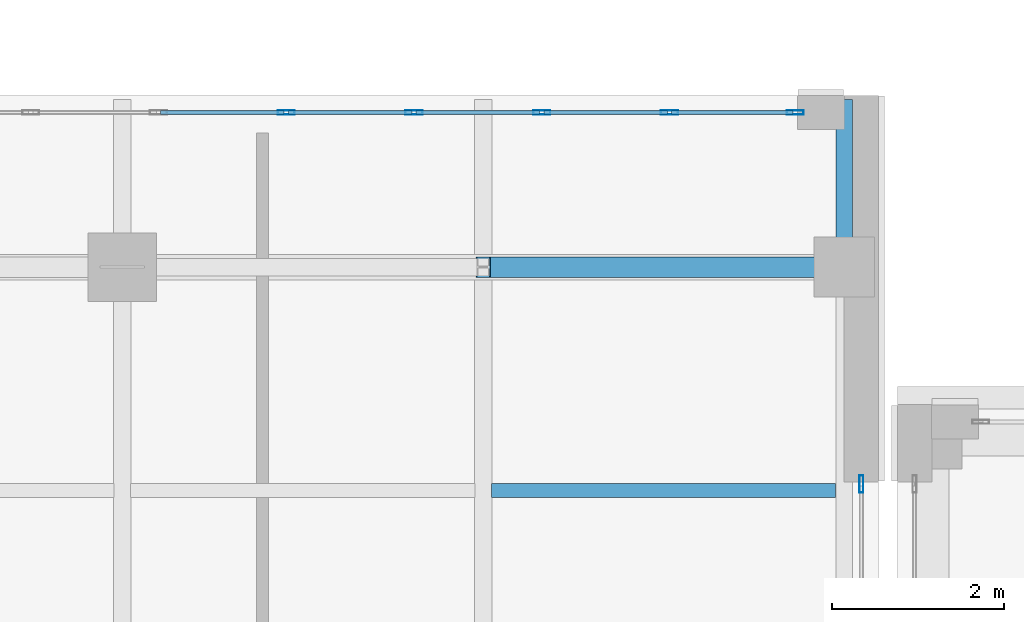
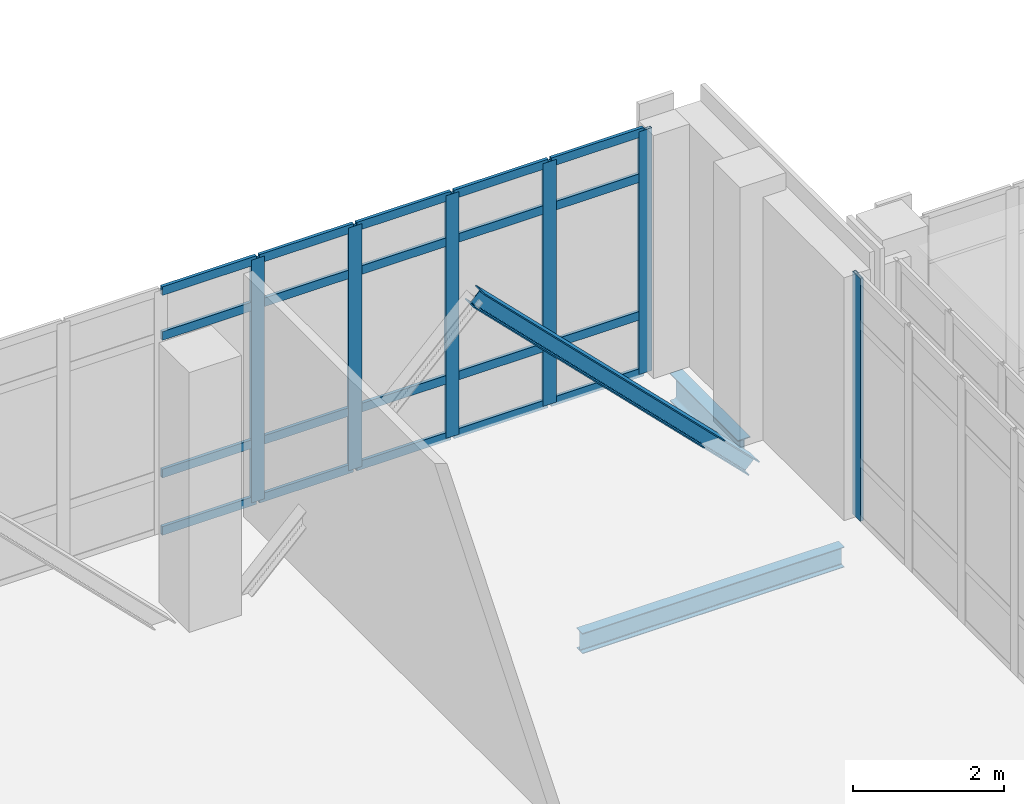
# One storey, part 15 of 158: 27 members, 2 beams, 2 elements without a shape of their own.
"""IFC4 building model written with IfcOpenShell, lengths in metres."""

from ifc_helpers import new_model, si_unit, direction, frame, origin, origin_2d, place, context, subcontext, project, spatial, hollow_rectangle, i_section, extrude, material, layer, layer_set, material_profile, profile_set, type_object, element, aggregate, save


model = new_model("IFC4")

# Units and contexts
model_context = context("Model", 3, precision=1e-05, world=origin(), true_north=direction((0.0, 1.0)))
body_context = subcontext(model_context, "Body", "Model", "MODEL_VIEW")
ifc_project = project(units=[si_unit("LENGTHUNIT", "METRE"), si_unit("AREAUNIT", "SQUARE_METRE"), si_unit("VOLUMEUNIT", "CUBIC_METRE"), si_unit("PLANEANGLEUNIT", "RADIAN"), si_unit("MASSUNIT", "GRAM", prefix="KILO")], contexts=[model_context])

# Site, building, storey
site_placement = place(None, origin())
site = spatial("IfcSite", under=ifc_project, at=site_placement, CompositionType="ELEMENT")
building_placement = place(site_placement, origin())
building = spatial("IfcBuilding", under=site, at=building_placement, Name="Qalavern Law Courts", CompositionType="ELEMENT")
storey_placement = place(building_placement, frame((0.0, 0.0, 18.60009765625)))
storey = spatial("IfcBuildingStorey", under=building, at=storey_placement, Name="L04", CompositionType="ELEMENT", Elevation=18.60009765625)

# Curtain wall, member
ifc_material_1 = material(Name="Anodised aluminium and insulated glazing", Category="aluminium")
ifc_layer = layer(ifc_material_1, 0.199951171875)
ifc_layer_set = layer_set([ifc_layer], Name="Anodised aluminium and insulated glazing")
curtain_wall_type = type_object("IfcCurtainWallType", Name="ENV-CW-FOYER", PredefinedType="USERDEFINED", material=ifc_layer_set)
curtain_wall_1_placement = place(storey_placement, origin())
curtain_wall_1 = element("IfcCurtainWall", 1, at=curtain_wall_1_placement, inside=storey, type_object=curtain_wall_type, Name="V1 unitised curtain wall L04 east 1", ObjectType="UNITISED CURTAIN WALL", PredefinedType="USERDEFINED")
ifc_material_2 = material(Name="Anodised aluminium", Category="aluminium")
ifc_material_profile_1 = material_profile(ifc_material_2, hollow_rectangle(XDim=0.048095703125, YDim=0.199951171875, WallThickness=0.00439453125, at=origin_2d()), Name="ALU MULLION 48x200")
ifc_profile_set_1 = profile_set([ifc_material_profile_1], Name="Anodised aluminium")
member_type_1 = type_object("IfcMemberType", Name="ENV-CWM-48x200", PredefinedType="MULLION", material=ifc_profile_set_1)
member_1_placement = place(storey_placement, frame((33.800048828125, 29.47607421875, 0.0), z_axis=(0.0, 0.0, 1.0), x_axis=(-1.0, 0.0, 0.0)))
member_1 = element("IfcMember", 2, at=member_1_placement, type_object=member_type_1, Name="CW-01 mullion 6", PredefinedType="MULLION", context=body_context, shape_type="SweptSolid", body=[
    extrude(hollow_rectangle(XDim=0.048095703125, YDim=0.199951171875, WallThickness=0.00439453125, at=origin_2d()), origin(), (0.0, 0.0, 1.0), 3.9248046875),
])
aggregate(curtain_wall_1, [member_1])

# Curtain wall, members
curtain_wall_2_placement = place(storey_placement, origin())
curtain_wall_2 = element("IfcCurtainWall", 3, at=curtain_wall_2_placement, inside=storey, type_object=curtain_wall_type, Name="V1 unitised curtain wall L04 north 1", ObjectType="UNITISED CURTAIN WALL", PredefinedType="USERDEFINED")
member_2_placement = place(storey_placement, frame((33.031005859375, 33.800048828125, 0.0), z_axis=(0.0, 0.0, 1.0), x_axis=(0.0, -1.0, 0.0)))
member_2 = element("IfcMember", 4, at=member_2_placement, type_object=member_type_1, Name="CW-01 mullion 1", PredefinedType="MULLION", context=body_context, shape_type="SweptSolid", body=[
    extrude(hollow_rectangle(XDim=0.048095703125, YDim=0.199951171875, WallThickness=0.00439453125, at=origin_2d()), origin(), (0.0, 0.0, 1.0), 3.9248046875),
])
member_3_placement = place(storey_placement, frame((31.568359375, 33.800048828125, 0.0), z_axis=(0.0, 0.0, 1.0), x_axis=(0.0, -1.0, 0.0)))
member_3 = element("IfcMember", 5, at=member_3_placement, type_object=member_type_1, Name="CW-01 mullion 2", PredefinedType="MULLION", context=body_context, shape_type="SweptSolid", body=[
    extrude(hollow_rectangle(XDim=0.048095703125, YDim=0.199951171875, WallThickness=0.00439453125, at=origin_2d()), origin(), (0.0, 0.0, 1.0), 3.9248046875),
])
member_4_placement = place(storey_placement, frame((30.081787109375, 33.800048828125, 0.0), z_axis=(0.0, 0.0, 1.0), x_axis=(0.0, -1.0, 0.0)))
member_4 = element("IfcMember", 6, at=member_4_placement, type_object=member_type_1, Name="CW-01 mullion 3", PredefinedType="MULLION", context=body_context, shape_type="SweptSolid", body=[
    extrude(hollow_rectangle(XDim=0.048095703125, YDim=0.199951171875, WallThickness=0.00439453125, at=origin_2d()), origin(), (0.0, 0.0, 1.0), 3.9248046875),
])
member_5_placement = place(storey_placement, frame((28.594970703125, 33.800048828125, 0.0), z_axis=(0.0, 0.0, 1.0), x_axis=(0.0, -1.0, 0.0)))
member_5 = element("IfcMember", 7, at=member_5_placement, type_object=member_type_1, Name="CW-01 mullion 4", PredefinedType="MULLION", context=body_context, shape_type="SweptSolid", body=[
    extrude(hollow_rectangle(XDim=0.048095703125, YDim=0.199951171875, WallThickness=0.00439453125, at=origin_2d()), origin(), (0.0, 0.0, 1.0), 3.9248046875),
])
member_6_placement = place(storey_placement, frame((27.1083984375, 33.800048828125, 0.0), z_axis=(0.0, 0.0, 1.0), x_axis=(0.0, -1.0, 0.0)))
member_6 = element("IfcMember", 8, at=member_6_placement, type_object=member_type_1, Name="CW-01 mullion 5", PredefinedType="MULLION", context=body_context, shape_type="SweptSolid", body=[
    extrude(hollow_rectangle(XDim=0.048095703125, YDim=0.199951171875, WallThickness=0.00439453125, at=origin_2d()), origin(), (0.0, 0.0, 1.0), 3.9248046875),
])
ifc_material_profile_2 = material_profile(ifc_material_2, hollow_rectangle(XDim=0.048095703125, YDim=0.139892578125, WallThickness=0.00390625, at=origin_2d()), Name="ALU TRANSOM 48x140")
ifc_profile_set_2 = profile_set([ifc_material_profile_2], Name="Anodised aluminium")
member_type_2 = type_object("IfcMemberType", Name="ENV-CWT-48x140", PredefinedType="USERDEFINED", material=ifc_profile_set_2)
member_7_placement = place(storey_placement, frame((33.007080078125, 33.800048828125, 0.02392578125), z_axis=(-1.0, 0.0, 0.0), x_axis=(0.0, -1.0, 0.0)))
member_7 = element("IfcMember", 9, at=member_7_placement, type_object=member_type_2, Name="CW-01 transom 1.1", ObjectType="TRANSOM", PredefinedType="USERDEFINED", context=body_context, shape_type="SweptSolid", body=[
    extrude(hollow_rectangle(XDim=0.048095703125, YDim=0.139892578125, WallThickness=0.00390625, at=origin_2d()), origin(), (0.0, 0.0, 1.0), 1.414794921875),
])
member_8_placement = place(storey_placement, frame((33.007080078125, 33.800048828125, 0.949951171875), z_axis=(-1.0, 0.0, 0.0), x_axis=(0.0, -1.0, 0.0)))
member_8 = element("IfcMember", 10, at=member_8_placement, type_object=member_type_2, Name="CW-01 transom 1.2", ObjectType="TRANSOM", PredefinedType="USERDEFINED", context=body_context, shape_type="SweptSolid", body=[
    extrude(hollow_rectangle(XDim=0.048095703125, YDim=0.139892578125, WallThickness=0.00390625, at=origin_2d()), origin(), (0.0, 0.0, 1.0), 1.414794921875),
])
member_9_placement = place(storey_placement, frame((33.007080078125, 33.800048828125, 3.1748046875), z_axis=(-1.0, 0.0, 0.0), x_axis=(0.0, -1.0, 0.0)))
member_9 = element("IfcMember", 11, at=member_9_placement, type_object=member_type_2, Name="CW-01 transom 1.3", ObjectType="TRANSOM", PredefinedType="USERDEFINED", context=body_context, shape_type="SweptSolid", body=[
    extrude(hollow_rectangle(XDim=0.048095703125, YDim=0.139892578125, WallThickness=0.00390625, at=origin_2d()), origin(), (0.0, 0.0, 1.0), 1.414794921875),
])
member_10_placement = place(storey_placement, frame((33.007080078125, 33.800048828125, 3.90087890625), z_axis=(-1.0, 0.0, 0.0), x_axis=(0.0, -1.0, 0.0)))
member_10 = element("IfcMember", 12, at=member_10_placement, type_object=member_type_2, Name="CW-01 transom 1.4", ObjectType="TRANSOM", PredefinedType="USERDEFINED", context=body_context, shape_type="SweptSolid", body=[
    extrude(hollow_rectangle(XDim=0.048095703125, YDim=0.139892578125, WallThickness=0.00390625, at=origin_2d()), origin(), (0.0, 0.0, 1.0), 1.414794921875),
])
member_11_placement = place(storey_placement, frame((31.54443359375, 33.800048828125, 0.02392578125), z_axis=(-1.0, 0.0, 0.0), x_axis=(0.0, -1.0, 0.0)))
member_11 = element("IfcMember", 13, at=member_11_placement, type_object=member_type_2, Name="CW-01 transom 2.1", ObjectType="TRANSOM", PredefinedType="USERDEFINED", context=body_context, shape_type="SweptSolid", body=[
    extrude(hollow_rectangle(XDim=0.048095703125, YDim=0.139892578125, WallThickness=0.00390625, at=origin_2d()), origin(), (0.0, 0.0, 1.0), 1.438720703125),
])
member_12_placement = place(storey_placement, frame((31.54443359375, 33.800048828125, 0.949951171875), z_axis=(-1.0, 0.0, 0.0), x_axis=(0.0, -1.0, 0.0)))
member_12 = element("IfcMember", 14, at=member_12_placement, type_object=member_type_2, Name="CW-01 transom 2.2", ObjectType="TRANSOM", PredefinedType="USERDEFINED", context=body_context, shape_type="SweptSolid", body=[
    extrude(hollow_rectangle(XDim=0.048095703125, YDim=0.139892578125, WallThickness=0.00390625, at=origin_2d()), origin(), (0.0, 0.0, 1.0), 1.438720703125),
])
member_13_placement = place(storey_placement, frame((31.54443359375, 33.800048828125, 3.1748046875), z_axis=(-1.0, 0.0, 0.0), x_axis=(0.0, -1.0, 0.0)))
member_13 = element("IfcMember", 15, at=member_13_placement, type_object=member_type_2, Name="CW-01 transom 2.3", ObjectType="TRANSOM", PredefinedType="USERDEFINED", context=body_context, shape_type="SweptSolid", body=[
    extrude(hollow_rectangle(XDim=0.048095703125, YDim=0.139892578125, WallThickness=0.00390625, at=origin_2d()), origin(), (0.0, 0.0, 1.0), 1.438720703125),
])
member_14_placement = place(storey_placement, frame((31.54443359375, 33.800048828125, 3.90087890625), z_axis=(-1.0, 0.0, 0.0), x_axis=(0.0, -1.0, 0.0)))
member_14 = element("IfcMember", 16, at=member_14_placement, type_object=member_type_2, Name="CW-01 transom 2.4", ObjectType="TRANSOM", PredefinedType="USERDEFINED", context=body_context, shape_type="SweptSolid", body=[
    extrude(hollow_rectangle(XDim=0.048095703125, YDim=0.139892578125, WallThickness=0.00390625, at=origin_2d()), origin(), (0.0, 0.0, 1.0), 1.438720703125),
])
member_15_placement = place(storey_placement, frame((30.0576171875, 33.800048828125, 0.02392578125), z_axis=(-1.0, 0.0, 0.0), x_axis=(0.0, -1.0, 0.0)))
member_15 = element("IfcMember", 17, at=member_15_placement, type_object=member_type_2, Name="CW-01 transom 3.1", ObjectType="TRANSOM", PredefinedType="USERDEFINED", context=body_context, shape_type="SweptSolid", body=[
    extrude(hollow_rectangle(XDim=0.048095703125, YDim=0.139892578125, WallThickness=0.00390625, at=origin_2d()), origin(), (0.0, 0.0, 1.0), 1.438720703125),
])
member_16_placement = place(storey_placement, frame((30.0576171875, 33.800048828125, 0.949951171875), z_axis=(-1.0, 0.0, 0.0), x_axis=(0.0, -1.0, 0.0)))
member_16 = element("IfcMember", 18, at=member_16_placement, type_object=member_type_2, Name="CW-01 transom 3.2", ObjectType="TRANSOM", PredefinedType="USERDEFINED", context=body_context, shape_type="SweptSolid", body=[
    extrude(hollow_rectangle(XDim=0.048095703125, YDim=0.139892578125, WallThickness=0.00390625, at=origin_2d()), origin(), (0.0, 0.0, 1.0), 1.438720703125),
])
member_17_placement = place(storey_placement, frame((30.0576171875, 33.800048828125, 3.1748046875), z_axis=(-1.0, 0.0, 0.0), x_axis=(0.0, -1.0, 0.0)))
member_17 = element("IfcMember", 19, at=member_17_placement, type_object=member_type_2, Name="CW-01 transom 3.3", ObjectType="TRANSOM", PredefinedType="USERDEFINED", context=body_context, shape_type="SweptSolid", body=[
    extrude(hollow_rectangle(XDim=0.048095703125, YDim=0.139892578125, WallThickness=0.00390625, at=origin_2d()), origin(), (0.0, 0.0, 1.0), 1.438720703125),
])
member_18_placement = place(storey_placement, frame((30.0576171875, 33.800048828125, 3.90087890625), z_axis=(-1.0, 0.0, 0.0), x_axis=(0.0, -1.0, 0.0)))
member_18 = element("IfcMember", 20, at=member_18_placement, type_object=member_type_2, Name="CW-01 transom 3.4", ObjectType="TRANSOM", PredefinedType="USERDEFINED", context=body_context, shape_type="SweptSolid", body=[
    extrude(hollow_rectangle(XDim=0.048095703125, YDim=0.139892578125, WallThickness=0.00390625, at=origin_2d()), origin(), (0.0, 0.0, 1.0), 1.438720703125),
])
member_19_placement = place(storey_placement, frame((28.571044921875, 33.800048828125, 0.02392578125), z_axis=(-1.0, 0.0, 0.0), x_axis=(0.0, -1.0, 0.0)))
member_19 = element("IfcMember", 21, at=member_19_placement, type_object=member_type_2, Name="CW-01 transom 4.1", ObjectType="TRANSOM", PredefinedType="USERDEFINED", context=body_context, shape_type="SweptSolid", body=[
    extrude(hollow_rectangle(XDim=0.048095703125, YDim=0.139892578125, WallThickness=0.00390625, at=origin_2d()), origin(), (0.0, 0.0, 1.0), 1.438720703125),
])
member_20_placement = place(storey_placement, frame((28.571044921875, 33.800048828125, 0.949951171875), z_axis=(-1.0, 0.0, 0.0), x_axis=(0.0, -1.0, 0.0)))
member_20 = element("IfcMember", 22, at=member_20_placement, type_object=member_type_2, Name="CW-01 transom 4.2", ObjectType="TRANSOM", PredefinedType="USERDEFINED", context=body_context, shape_type="SweptSolid", body=[
    extrude(hollow_rectangle(XDim=0.048095703125, YDim=0.139892578125, WallThickness=0.00390625, at=origin_2d()), origin(), (0.0, 0.0, 1.0), 1.438720703125),
])
member_21_placement = place(storey_placement, frame((28.571044921875, 33.800048828125, 3.1748046875), z_axis=(-1.0, 0.0, 0.0), x_axis=(0.0, -1.0, 0.0)))
member_21 = element("IfcMember", 23, at=member_21_placement, type_object=member_type_2, Name="CW-01 transom 4.3", ObjectType="TRANSOM", PredefinedType="USERDEFINED", context=body_context, shape_type="SweptSolid", body=[
    extrude(hollow_rectangle(XDim=0.048095703125, YDim=0.139892578125, WallThickness=0.00390625, at=origin_2d()), origin(), (0.0, 0.0, 1.0), 1.438720703125),
])
member_22_placement = place(storey_placement, frame((28.571044921875, 33.800048828125, 3.90087890625), z_axis=(-1.0, 0.0, 0.0), x_axis=(0.0, -1.0, 0.0)))
member_22 = element("IfcMember", 24, at=member_22_placement, type_object=member_type_2, Name="CW-01 transom 4.4", ObjectType="TRANSOM", PredefinedType="USERDEFINED", context=body_context, shape_type="SweptSolid", body=[
    extrude(hollow_rectangle(XDim=0.048095703125, YDim=0.139892578125, WallThickness=0.00390625, at=origin_2d()), origin(), (0.0, 0.0, 1.0), 1.438720703125),
])
member_23_placement = place(storey_placement, frame((27.084228515625, 33.800048828125, 0.02392578125), z_axis=(-1.0, 0.0, 0.0), x_axis=(0.0, -1.0, 0.0)))
member_23 = element("IfcMember", 25, at=member_23_placement, type_object=member_type_2, Name="CW-01 transom 5.1", ObjectType="TRANSOM", PredefinedType="USERDEFINED", context=body_context, shape_type="SweptSolid", body=[
    extrude(hollow_rectangle(XDim=0.048095703125, YDim=0.139892578125, WallThickness=0.00390625, at=origin_2d()), origin(), (0.0, 0.0, 1.0), 1.4384765625),
])
member_24_placement = place(storey_placement, frame((27.084228515625, 33.800048828125, 0.949951171875), z_axis=(-1.0, 0.0, 0.0), x_axis=(0.0, -1.0, 0.0)))
member_24 = element("IfcMember", 26, at=member_24_placement, type_object=member_type_2, Name="CW-01 transom 5.2", ObjectType="TRANSOM", PredefinedType="USERDEFINED", context=body_context, shape_type="SweptSolid", body=[
    extrude(hollow_rectangle(XDim=0.048095703125, YDim=0.139892578125, WallThickness=0.00390625, at=origin_2d()), origin(), (0.0, 0.0, 1.0), 1.4384765625),
])
member_25_placement = place(storey_placement, frame((27.084228515625, 33.800048828125, 3.1748046875), z_axis=(-1.0, 0.0, 0.0), x_axis=(0.0, -1.0, 0.0)))
member_25 = element("IfcMember", 27, at=member_25_placement, type_object=member_type_2, Name="CW-01 transom 5.3", ObjectType="TRANSOM", PredefinedType="USERDEFINED", context=body_context, shape_type="SweptSolid", body=[
    extrude(hollow_rectangle(XDim=0.048095703125, YDim=0.139892578125, WallThickness=0.00390625, at=origin_2d()), origin(), (0.0, 0.0, 1.0), 1.4384765625),
])
member_26_placement = place(storey_placement, frame((27.084228515625, 33.800048828125, 3.90087890625), z_axis=(-1.0, 0.0, 0.0), x_axis=(0.0, -1.0, 0.0)))
member_26 = element("IfcMember", 28, at=member_26_placement, type_object=member_type_2, Name="CW-01 transom 5.4", ObjectType="TRANSOM", PredefinedType="USERDEFINED", context=body_context, shape_type="SweptSolid", body=[
    extrude(hollow_rectangle(XDim=0.048095703125, YDim=0.139892578125, WallThickness=0.00390625, at=origin_2d()), origin(), (0.0, 0.0, 1.0), 1.4384765625),
])
aggregate(curtain_wall_2, [member_2, member_3, member_4, member_5, member_6, member_7, member_8, member_9, member_10, member_11, member_12, member_13, member_14, member_15, member_16, member_17, member_18, member_19, member_20, member_21, member_22, member_23, member_24, member_25, member_26])

# Member
ifc_material_3 = material(Name="Steel S355", Category="steel")
ifc_material_profile_3 = material_profile(ifc_material_3, i_section(OverallWidth=0.239990234375, OverallDepth=0.239990234375, WebThickness=0.010009765625, FlangeThickness=0.01708984375, FilletRadius=0.02099609375, at=origin_2d()), Name="HEB 240")
ifc_profile_set_3 = profile_set([ifc_material_profile_3], Name="Steel S355")
member_type_3 = type_object("IfcMemberType", Name="STR-BR-HEB240", PredefinedType="BRACE", material=ifc_profile_set_3)
member_27_placement = place(storey_placement, frame((33.60009765625, 32.0, -0.60498046875), z_axis=(-0.708485012699, 0.0, 0.705725858093), x_axis=(0.0, -1.0, 0.0)))
element("IfcMember", 29, at=member_27_placement, inside=storey, type_object=member_type_3, Name="Cantilever truss T3 diagonal L04-1", PredefinedType="BRACE", context=body_context, shape_type="SweptSolid", body=[
    extrude(i_section(OverallWidth=0.239990234375, OverallDepth=0.239990234375, WebThickness=0.010009765625, FlangeThickness=0.01708984375, FilletRadius=0.02099609375, at=origin_2d()), origin(), (0.0, 0.0, 1.0), 5.928466796875),
])

# Beams
ifc_material_profile_4 = material_profile(ifc_material_3, i_section(OverallWidth=0.159912109375, OverallDepth=0.330078125, WebThickness=0.007568359375, FlangeThickness=0.011474609375, FilletRadius=0.01806640625, at=origin_2d()), Name="IPE 330")
ifc_profile_set_4 = profile_set([ifc_material_profile_4], Name="Steel S355")
beam_type_1 = type_object("IfcBeamType", Name="STR-JST-IPE330", PredefinedType="JOIST", material=ifc_profile_set_4)
beam_1_placement = place(storey_placement, frame((29.498046875, 29.39990234375, -0.445068359375), z_axis=(1.0, 0.0, 0.0), x_axis=(0.0, 1.0, 0.0)))
element("IfcBeam", 30, at=beam_1_placement, inside=storey, type_object=beam_type_1, Name="Foyer floor joist L04-1.4", PredefinedType="JOIST", context=body_context, shape_type="SweptSolid", body=[
    extrude(i_section(OverallWidth=0.159912109375, OverallDepth=0.330078125, WebThickness=0.007568359375, FlangeThickness=0.011474609375, FilletRadius=0.01806640625, at=origin_2d()), origin(), (0.0, 0.0, 1.0), 4.00390625),
])
ifc_material_profile_5 = material_profile(ifc_material_3, i_section(OverallWidth=0.18994140625, OverallDepth=0.449951171875, WebThickness=0.009521484375, FlangeThickness=0.0146484375, FilletRadius=0.02099609375, at=origin_2d()), Name="IPE 450")
ifc_profile_set_5 = profile_set([ifc_material_profile_5], Name="Steel S355")
beam_type_2 = type_object("IfcBeamType", Name="STR-SP-IPE450", PredefinedType="SPANDREL", material=ifc_profile_set_5)
beam_2_placement = place(storey_placement, frame((33.60009765625, 32.14794921875, -0.505126953125), z_axis=(0.0, 1.0, 0.0), x_axis=(-1.0, 0.0, 0.0)))
element("IfcBeam", 31, at=beam_2_placement, inside=storey, type_object=beam_type_2, Name="Foyer transverse beam L04-1.4", PredefinedType="SPANDREL", context=body_context, shape_type="SweptSolid", body=[
    extrude(i_section(OverallWidth=0.18994140625, OverallDepth=0.449951171875, WebThickness=0.009521484375, FlangeThickness=0.0146484375, FilletRadius=0.02099609375, at=origin_2d()), origin(), (0.0, 0.0, 1.0), 1.802001953125),
])

save(model, "model.ifc")
